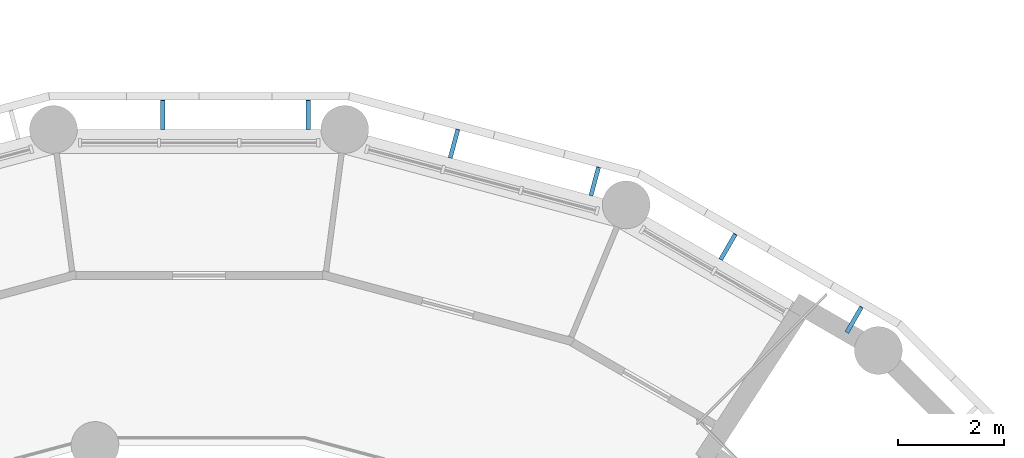
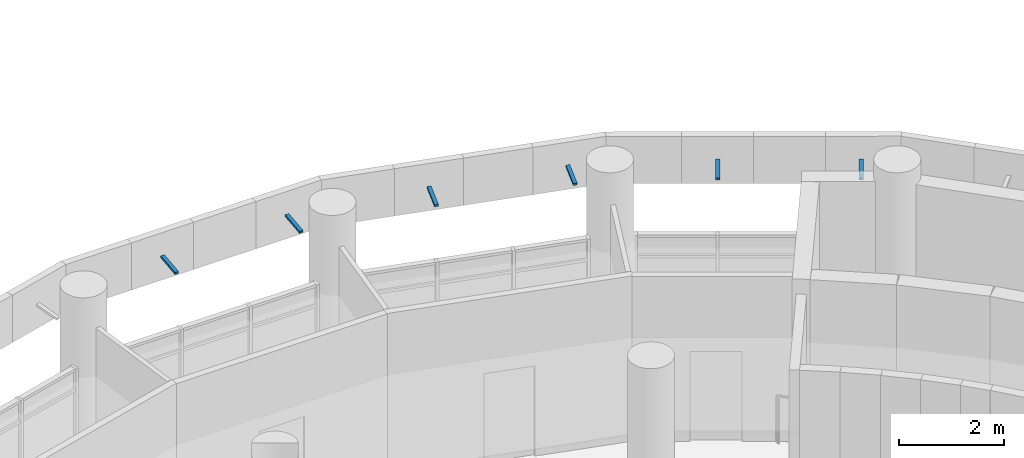
# One storey, part 89 of 109: 6 discrete accessories.
"""IFC4 building model written with IfcOpenShell, lengths in metres."""

from ifc_helpers import new_model, si_unit, direction, frame, origin, origin_2d, place, context, subcontext, project, spatial, rectangle, extrude, material, material_profile, profile_set, type_object, element, save


model = new_model("IFC4")

# Units and contexts
model_context = context("Model", 3, precision=1e-05, world=origin(), true_north=direction((0.0, 1.0)))
body_context = subcontext(model_context, "Body", "Model", "MODEL_VIEW")
ifc_project = project(units=[si_unit("LENGTHUNIT", "METRE"), si_unit("AREAUNIT", "SQUARE_METRE"), si_unit("VOLUMEUNIT", "CUBIC_METRE"), si_unit("PLANEANGLEUNIT", "RADIAN"), si_unit("MASSUNIT", "GRAM", prefix="KILO")], contexts=[model_context])

# Site, building, storey
site_placement = place(None, origin())
site = spatial("IfcSite", under=ifc_project, at=site_placement, CompositionType="ELEMENT")
building_placement = place(site_placement, origin())
building = spatial("IfcBuilding", under=site, at=building_placement, Name="Bougainvillea Quay General Hospital", CompositionType="ELEMENT")
storey_placement = place(building_placement, frame((0.0, 0.0, 12.60009765625)))
storey = spatial("IfcBuildingStorey", under=building, at=storey_placement, Name="L02", CompositionType="ELEMENT", Elevation=12.60009765625)

# Discrete accessories
ifc_material = material(Name="Stainless steel bracket, grade 316", Category="steel")
ifc_material_profile = material_profile(ifc_material, rectangle(XDim=0.080078125, YDim=0.050048828125, at=origin_2d()))
ifc_profile_set = profile_set([ifc_material_profile], Name="Stainless steel bracket, grade 316")
discrete_accessory_type = type_object("IfcDiscreteAccessoryType", Name="Stainless steel stand-off bracket 80x50", PredefinedType="BRACKET", material=ifc_profile_set)
discrete_accessory_placement = place(storey_placement, frame((121.390380859375, 91.002685546875, 4.139892578125), z_axis=(0.497241294851, 0.860796598273, 0.108537141556), x_axis=(-0.865912065108, 0.500196256984, 0.0)))
element("IfcDiscreteAccessory", 1, at=discrete_accessory_placement, inside=storey, type_object=discrete_accessory_type, Name="Fascia bracket e1 15", PredefinedType="BRACKET", context=body_context, shape_type="SweptSolid", body=[
    extrude(rectangle(XDim=0.080078125, YDim=0.050048828125, at=origin_2d()), origin(), (0.0, 0.0, 1.0), 0.553466796875),
])
for number, where, z_axis, x_axis, name in (
    (2, (119.0166015625, 92.373046875, 4.139892578125), (0.496909065825, 0.860985424, 0.108560950438), (-0.866104278045, 0.499863360881, 0.0), "Fascia bracket e1 17"),
    (3, (116.57421875, 93.578369140625, 4.139892578125), (0.257265896735, 0.96022399879, 0.108554735157), (-0.965932200741, 0.258795254151, 0.0), "Fascia bracket e1 19"),
    (4, (113.926513671875, 94.287841796875, 4.139892578125), (0.257677899542, 0.960114913363, 0.108542402889), (-0.965821158526, 0.259209355046, 0.0), "Fascia bracket e1 21"),
    (5, (111.255859375, 94.820068359375, 4.139892578125), (0.0, 0.994091793559, 0.108542645901), (-1.0, 0.0, 0.0), "Fascia bracket e1 23"),
    (6, (108.5146484375, 94.820068359375, 4.139892578125), (0.0, 0.994091793559, 0.108542645901), (-1.0, 0.0, 0.0), "Fascia bracket e1 25"),
):
    element("IfcDiscreteAccessory", number, at=place(storey_placement, frame(where, z_axis=z_axis, x_axis=x_axis)), inside=storey, type_object=discrete_accessory_type, Name=name, PredefinedType="BRACKET", context=body_context, shape_type="SweptSolid", body=[
        extrude(rectangle(XDim=0.080078125, YDim=0.050048828125, at=origin_2d()), origin(), (0.0, 0.0, 1.0), 0.55322265625),
    ])

save(model, "model.ifc")
